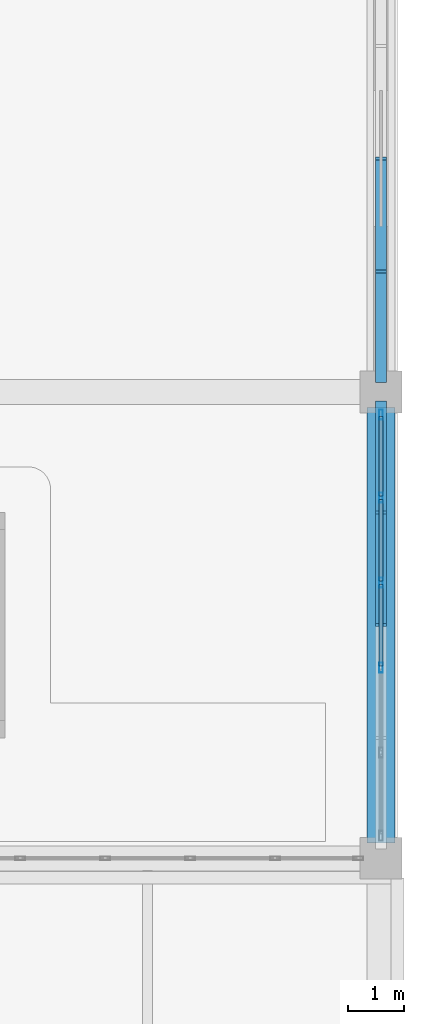
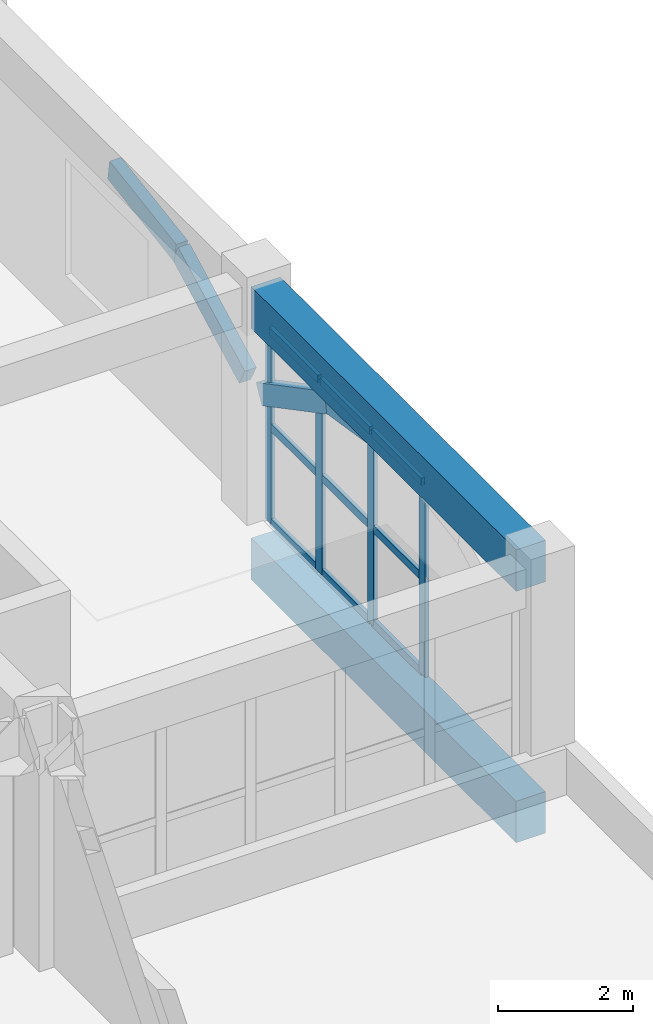
# One storey, part 83 of 114: 17 members, 2 beams, 1 element without a shape of its own.
"""IFC4 building model written with IfcOpenShell, lengths in metres."""

from ifc_helpers import new_model, si_unit, direction, frame, origin, origin_2d, place, context, subcontext, project, spatial, rectangle, hollow_rectangle, extrude, material, layer, layer_set, material_profile, profile_set, type_object, element, aggregate, save


model = new_model("IFC4")

# Units and contexts
model_context = context("Model", 3, precision=1e-05, world=origin(), true_north=direction((0.0, 1.0)))
body_context = subcontext(model_context, "Body", "Model", "MODEL_VIEW")
ifc_project = project(units=[si_unit("LENGTHUNIT", "METRE"), si_unit("AREAUNIT", "SQUARE_METRE"), si_unit("VOLUMEUNIT", "CUBIC_METRE"), si_unit("PLANEANGLEUNIT", "RADIAN"), si_unit("MASSUNIT", "GRAM", prefix="KILO")], contexts=[model_context])

# Site, building, storey
site_placement = place(None, origin())
site = spatial("IfcSite", under=ifc_project, at=site_placement, CompositionType="ELEMENT")
building_placement = place(site_placement, origin())
building = spatial("IfcBuilding", under=site, at=building_placement, Name="Xazarin Passage Department Store", CompositionType="ELEMENT")
storey_placement = place(building_placement, frame((0.0, 0.0, 14.39990234375)))
storey = spatial("IfcBuildingStorey", under=building, at=storey_placement, Name="L03", CompositionType="ELEMENT", Elevation=14.39990234375)

# Curtain wall, members
ifc_material_1 = material(Name="Bronze anodised aluminium", Category="aluminium")
ifc_layer = layer(ifc_material_1, 0.1650390625)
ifc_layer_set = layer_set([ifc_layer], Name="Bronze anodised aluminium")
curtain_wall_type = type_object("IfcCurtainWallType", Name="ARC-CW-OFF1", PredefinedType="NOTDEFINED", material=ifc_layer_set)
curtain_wall_placement = place(storey_placement, origin())
curtain_wall = element("IfcCurtainWall", 1, at=curtain_wall_placement, inside=storey, type_object=curtain_wall_type, Name="L03 V4 Curtain Wall 140", PredefinedType="NOTDEFINED")
ifc_material_profile_1 = material_profile(ifc_material_1, hollow_rectangle(XDim=0.06494140625, YDim=0.179931640625, WallThickness=0.00390625, at=origin_2d()), Name="ALU 65x180")
ifc_profile_set_1 = profile_set([ifc_material_profile_1], Name="Bronze anodised aluminium")
member_type_1 = type_object("IfcMemberType", Name="ARC-CWM-65x180", PredefinedType="MULLION", material=ifc_profile_set_1)
member_1_placement = place(storey_placement, frame((144.39990234375, 96.635009765625, 0.0), z_axis=(0.0, 0.0, 1.0), x_axis=(-1.0, 0.0, 0.0)))
member_1 = element("IfcMember", 2, at=member_1_placement, type_object=member_type_1, Name="CW6 mullion 3", PredefinedType="MULLION", context=body_context, shape_type="SweptSolid", body=[
    extrude(hollow_rectangle(XDim=0.06494140625, YDim=0.179931640625, WallThickness=0.00390625, at=origin_2d()), origin(), (0.0, 0.0, 1.0), 3.489990234375),
])
member_2_placement = place(storey_placement, frame((144.39990234375, 98.1650390625, 0.0), z_axis=(0.0, 0.0, 1.0), x_axis=(-1.0, 0.0, 0.0)))
member_2 = element("IfcMember", 3, at=member_2_placement, type_object=member_type_1, Name="CW6 mullion 4", PredefinedType="MULLION", context=body_context, shape_type="SweptSolid", body=[
    extrude(hollow_rectangle(XDim=0.06494140625, YDim=0.179931640625, WallThickness=0.00390625, at=origin_2d()), origin(), (0.0, 0.0, 1.0), 3.489990234375),
])
member_3_placement = place(storey_placement, frame((144.39990234375, 99.695068359375, 0.0), z_axis=(0.0, 0.0, 1.0), x_axis=(-1.0, 0.0, 0.0)))
member_3 = element("IfcMember", 4, at=member_3_placement, type_object=member_type_1, Name="CW6 mullion 5", PredefinedType="MULLION", context=body_context, shape_type="SweptSolid", body=[
    extrude(hollow_rectangle(XDim=0.06494140625, YDim=0.179931640625, WallThickness=0.00390625, at=origin_2d()), origin(), (0.0, 0.0, 1.0), 3.489990234375),
])
member_4_placement = place(storey_placement, frame((144.39990234375, 101.1923828125, 0.0), z_axis=(0.0, 0.0, 1.0), x_axis=(-1.0, 0.0, 0.0)))
member_4 = element("IfcMember", 5, at=member_4_placement, type_object=member_type_1, Name="CW6 mullion 6", PredefinedType="MULLION", context=body_context, shape_type="SweptSolid", body=[
    extrude(hollow_rectangle(XDim=0.06494140625, YDim=0.179931640625, WallThickness=0.00390625, at=origin_2d()), origin(), (0.0, 0.0, 1.0), 3.489990234375),
])
ifc_material_profile_2 = material_profile(ifc_material_1, hollow_rectangle(XDim=0.06494140625, YDim=0.139892578125, WallThickness=0.00390625, at=origin_2d()), Name="ALU 65x140")
ifc_profile_set_2 = profile_set([ifc_material_profile_2], Name="Bronze anodised aluminium")
member_type_2 = type_object("IfcMemberType", Name="ARC-CWT-65x140", PredefinedType="USERDEFINED", material=ifc_profile_set_2)
member_5_placement = place(storey_placement, frame((144.39990234375, 96.66748046875, 0.03271484375), z_axis=(0.0, 1.0, 0.0), x_axis=(-1.0, 0.0, 0.0)))
member_5 = element("IfcMember", 6, at=member_5_placement, type_object=member_type_2, Name="CW6 transom 3.1", ObjectType="TRANSOM", PredefinedType="USERDEFINED", context=body_context, shape_type="SweptSolid", body=[
    extrude(hollow_rectangle(XDim=0.06494140625, YDim=0.139892578125, WallThickness=0.00390625, at=origin_2d()), origin(), (0.0, 0.0, 1.0), 1.465087890625),
])
member_6_placement = place(storey_placement, frame((144.39990234375, 96.66748046875, 1.7451171875), z_axis=(0.0, 1.0, 0.0), x_axis=(-1.0, 0.0, 0.0)))
member_6 = element("IfcMember", 7, at=member_6_placement, type_object=member_type_2, Name="CW6 transom 3.2", ObjectType="TRANSOM", PredefinedType="USERDEFINED", context=body_context, shape_type="SweptSolid", body=[
    extrude(hollow_rectangle(XDim=0.06494140625, YDim=0.139892578125, WallThickness=0.00390625, at=origin_2d()), origin(), (0.0, 0.0, 1.0), 1.465087890625),
])
member_7_placement = place(storey_placement, frame((144.39990234375, 96.66748046875, 3.45751953125), z_axis=(0.0, 1.0, 0.0), x_axis=(-1.0, 0.0, 0.0)))
member_7 = element("IfcMember", 8, at=member_7_placement, type_object=member_type_2, Name="CW6 transom 3.3", ObjectType="TRANSOM", PredefinedType="USERDEFINED", context=body_context, shape_type="SweptSolid", body=[
    extrude(hollow_rectangle(XDim=0.06494140625, YDim=0.139892578125, WallThickness=0.00390625, at=origin_2d()), origin(), (0.0, 0.0, 1.0), 1.465087890625),
])
member_8_placement = place(storey_placement, frame((144.39990234375, 98.197509765625, 0.03271484375), z_axis=(0.0, 1.0, 0.0), x_axis=(-1.0, 0.0, 0.0)))
member_8 = element("IfcMember", 9, at=member_8_placement, type_object=member_type_2, Name="CW6 transom 4.1", ObjectType="TRANSOM", PredefinedType="USERDEFINED", context=body_context, shape_type="SweptSolid", body=[
    extrude(hollow_rectangle(XDim=0.06494140625, YDim=0.139892578125, WallThickness=0.00390625, at=origin_2d()), origin(), (0.0, 0.0, 1.0), 1.465087890625),
])
member_9_placement = place(storey_placement, frame((144.39990234375, 98.197509765625, 1.7451171875), z_axis=(0.0, 1.0, 0.0), x_axis=(-1.0, 0.0, 0.0)))
member_9 = element("IfcMember", 10, at=member_9_placement, type_object=member_type_2, Name="CW6 transom 4.2", ObjectType="TRANSOM", PredefinedType="USERDEFINED", context=body_context, shape_type="SweptSolid", body=[
    extrude(hollow_rectangle(XDim=0.06494140625, YDim=0.139892578125, WallThickness=0.00390625, at=origin_2d()), origin(), (0.0, 0.0, 1.0), 1.465087890625),
])
member_10_placement = place(storey_placement, frame((144.39990234375, 98.197509765625, 3.45751953125), z_axis=(0.0, 1.0, 0.0), x_axis=(-1.0, 0.0, 0.0)))
member_10 = element("IfcMember", 11, at=member_10_placement, type_object=member_type_2, Name="CW6 transom 4.3", ObjectType="TRANSOM", PredefinedType="USERDEFINED", context=body_context, shape_type="SweptSolid", body=[
    extrude(hollow_rectangle(XDim=0.06494140625, YDim=0.139892578125, WallThickness=0.00390625, at=origin_2d()), origin(), (0.0, 0.0, 1.0), 1.465087890625),
])
member_11_placement = place(storey_placement, frame((144.39990234375, 99.7275390625, 0.03271484375), z_axis=(0.0, 1.0, 0.0), x_axis=(-1.0, 0.0, 0.0)))
member_11 = element("IfcMember", 12, at=member_11_placement, type_object=member_type_2, Name="CW6 transom 5.1", ObjectType="TRANSOM", PredefinedType="USERDEFINED", context=body_context, shape_type="SweptSolid", body=[
    extrude(hollow_rectangle(XDim=0.06494140625, YDim=0.139892578125, WallThickness=0.00390625, at=origin_2d()), origin(), (0.0, 0.0, 1.0), 1.432373046875),
])
member_12_placement = place(storey_placement, frame((144.39990234375, 99.7275390625, 1.7451171875), z_axis=(0.0, 1.0, 0.0), x_axis=(-1.0, 0.0, 0.0)))
member_12 = element("IfcMember", 13, at=member_12_placement, type_object=member_type_2, Name="CW6 transom 5.2", ObjectType="TRANSOM", PredefinedType="USERDEFINED", context=body_context, shape_type="SweptSolid", body=[
    extrude(hollow_rectangle(XDim=0.06494140625, YDim=0.139892578125, WallThickness=0.00390625, at=origin_2d()), origin(), (0.0, 0.0, 1.0), 1.432373046875),
])
member_13_placement = place(storey_placement, frame((144.39990234375, 99.7275390625, 3.45751953125), z_axis=(0.0, 1.0, 0.0), x_axis=(-1.0, 0.0, 0.0)))
member_13 = element("IfcMember", 14, at=member_13_placement, type_object=member_type_2, Name="CW6 transom 5.3", ObjectType="TRANSOM", PredefinedType="USERDEFINED", context=body_context, shape_type="SweptSolid", body=[
    extrude(hollow_rectangle(XDim=0.06494140625, YDim=0.139892578125, WallThickness=0.00390625, at=origin_2d()), origin(), (0.0, 0.0, 1.0), 1.432373046875),
])
aggregate(curtain_wall, [member_1, member_2, member_3, member_4, member_5, member_6, member_7, member_8, member_9, member_10, member_11, member_12, member_13])

# Beams
ifc_material_2 = material(Name="Concrete C35/45", Category="concrete")
ifc_material_profile_3 = material_profile(ifc_material_2, rectangle(XDim=0.5, YDim=0.75, at=origin_2d()), Name="RC 500x750")
ifc_profile_set_3 = profile_set([ifc_material_profile_3], Name="Concrete C35/45")
beam_type = type_object("IfcBeamType", Name="STR-BM-SP500x750", PredefinedType="SPANDREL", material=ifc_profile_set_3)
for number, where, z_axis, x_axis, name in (
    (15, (144.39990234375, 93.47998046875, -0.6748046875), (0.0, 1.0, 0.0), (-1.0, 0.0, 0.0), "L03 Grid Beam 20/N-P"),
    (16, (144.39990234375, 93.47998046875, 3.864990234375), (0.0, 1.0, 0.0), (-1.0, 0.0, 0.0), "L03 Grid Beam 20/N-P"),
):
    element("IfcBeam", number, at=place(storey_placement, frame(where, z_axis=z_axis, x_axis=x_axis)), inside=storey, type_object=beam_type, Name=name, PredefinedType="SPANDREL", context=body_context, shape_type="SweptSolid", body=[
        extrude(rectangle(XDim=0.5, YDim=0.75, at=origin_2d()), origin(), (0.0, 0.0, 1.0), 7.840087890625),
    ])

# Members
ifc_material_3 = material(Name="Concrete C40/50", Category="concrete")
ifc_material_profile_4 = material_profile(ifc_material_3, rectangle(XDim=0.199951171875, YDim=0.360107421875, at=origin_2d()), Name="RC 200x360")
ifc_profile_set_4 = profile_set([ifc_material_profile_4], Name="Concrete C40/50")
member_type_3 = type_object("IfcMemberType", Name="STR-MEM-ARC360", PredefinedType="CHORD", material=ifc_profile_set_4)
member_14_placement = place(storey_placement, frame((144.39990234375, 97.39990234375, 3.580078125), z_axis=(0.0, 0.987938581312, -0.154846244883), x_axis=(-1.0, 0.0, 0.0)))
element("IfcMember", 17, at=member_14_placement, inside=storey, type_object=member_type_3, Name="L03 V4 Upper Setback Pierced Arch 051.3", PredefinedType="CHORD", context=body_context, shape_type="SweptSolid", body=[
    extrude(rectangle(XDim=0.199951171875, YDim=0.360107421875, at=origin_2d()), origin(), (0.0, 0.0, 1.0), 1.999267578125),
])
member_15_placement = place(storey_placement, frame((144.39990234375, 99.375, 3.2705078125), z_axis=(0.0, 0.88473311603, -0.466097965454), x_axis=(-1.0, 0.0, 0.0)))
element("IfcMember", 18, at=member_15_placement, inside=storey, type_object=member_type_3, Name="L03 V4 Upper Setback Pierced Arch 051.4", PredefinedType="CHORD", context=body_context, shape_type="SweptSolid", body=[
    extrude(rectangle(XDim=0.199951171875, YDim=0.360107421875, at=origin_2d()), origin(), (0.0, 0.0, 1.0), 2.232421875),
])
member_16_placement = place(storey_placement, frame((144.39990234375, 101.85009765625, 2.22998046875), z_axis=(0.0, 0.884709354127, 0.466143066793), x_axis=(-1.0, 0.0, 0.0)))
element("IfcMember", 19, at=member_16_placement, inside=storey, type_object=member_type_3, Name="L03 V4 Upper Setback Pierced Arch 052.1", PredefinedType="CHORD", context=body_context, shape_type="SweptSolid", body=[
    extrude(rectangle(XDim=0.199951171875, YDim=0.360107421875, at=origin_2d()), origin(), (0.0, 0.0, 1.0), 2.232177734375),
])
member_17_placement = place(storey_placement, frame((144.39990234375, 103.824951171875, 3.2705078125), z_axis=(0.0, 0.987938581312, 0.154846244883), x_axis=(-1.0, 0.0, 0.0)))
element("IfcMember", 20, at=member_17_placement, inside=storey, type_object=member_type_3, Name="L03 V4 Upper Setback Pierced Arch 052.2", PredefinedType="CHORD", context=body_context, shape_type="SweptSolid", body=[
    extrude(rectangle(XDim=0.199951171875, YDim=0.360107421875, at=origin_2d()), origin(), (0.0, 0.0, 1.0), 1.999267578125),
])

save(model, "model.ifc")
